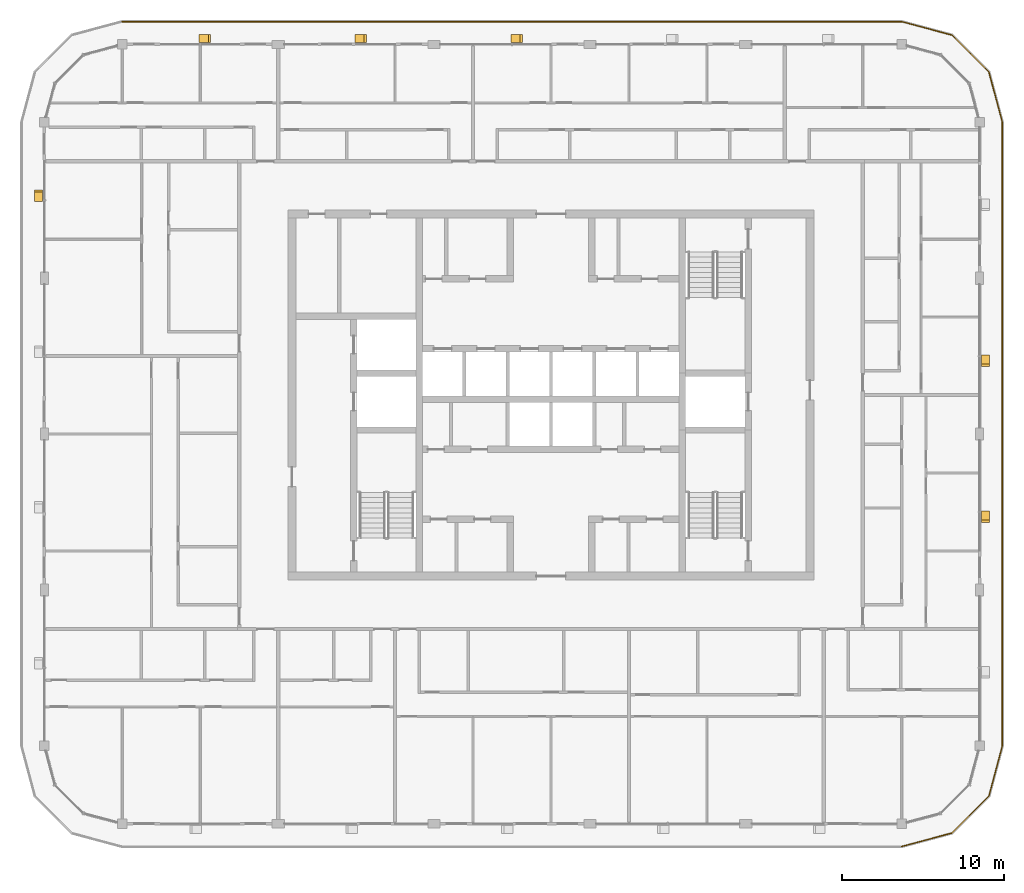
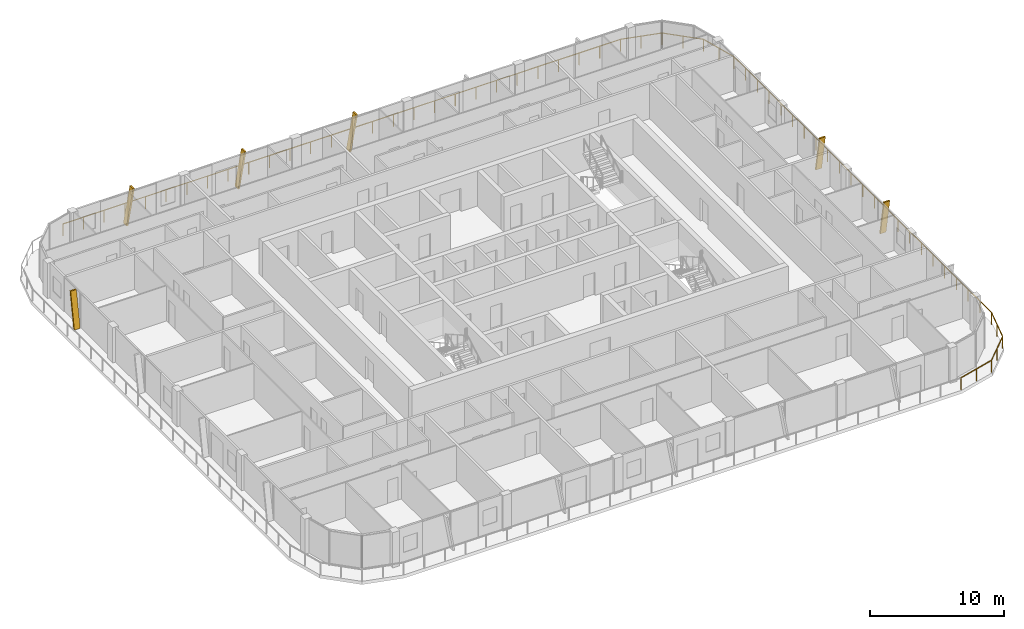
# One storey, part 21 of 22: 6 shading devices, 1 railing.
"""IFC4 building model written with IfcOpenShell, lengths in metres."""

import ifcopenshell
import ifcopenshell.guid

model = None  # the IFC model being written
_history = None  # IfcOwnerHistory: only IFC2X3 demands one
_inside = {}  # id of a spatial element -> (the spatial element, [elements in it])
_under = {}  # id of a project, library or spatial element -> (it, [spatial elements below it])
_declared = {}  # id of a project -> (the project, [libraries it declares])
_typed = {}  # id of a type object -> (the type object, [elements of that type])
_made_of = {}  # id of a material, layer set ... -> (it, [elements and type objects made of it])


def new_model(schema):
    """Start an empty IFC model of exactly this schema.

    Asked for "IFC4X3", IfcOpenShell would pick the latest addendum, in which some entities
    have other attributes; the version numbers below select the first issue.
    IFC2X3 requires an IfcOwnerHistory on every rooted entity: one is made here for all.
    """
    global model, _history
    if schema == "IFC4X3":
        model = ifcopenshell.file(schema_version=(4, 3, 0, 0))
    else:
        model = ifcopenshell.file(schema=schema)
    _inside.clear()
    _under.clear()
    _declared.clear()
    _typed.clear()
    _made_of.clear()
    _history = None
    if model.schema == "IFC2X3":
        org = make("IfcOrganization", Name="unknown")
        user = make(
            "IfcPersonAndOrganization",
            ThePerson=make("IfcPerson", FamilyName="unknown"),
            TheOrganization=org,
        )
        app = make(
            "IfcApplication",
            ApplicationDeveloper=org,
            Version="unknown",
            ApplicationFullName="unknown",
            ApplicationIdentifier="unknown",
        )
        _history = make(
            "IfcOwnerHistory",
            OwningUser=user,
            OwningApplication=app,
            ChangeAction="ADDED",
            CreationDate=0,
        )
    return model


def make(cls, **values):
    """One entity of the class cls with the attributes given. An attribute that is None is left unset."""
    return model.create_entity(
        cls, **{name: value for name, value in values.items() if value is not None}
    )


def rooted(cls, **values):
    """An entity with a GlobalId (a new one), such as an element, a storey or a relation."""
    return make(cls, GlobalId=ifcopenshell.guid.new(), OwnerHistory=_history, **values)


def si_unit(unit_type, name, prefix=None):
    """IfcSIUnit, for example si_unit("LENGTHUNIT", "METRE", prefix="MILLI")."""
    return make("IfcSIUnit", UnitType=unit_type, Prefix=prefix, Name=name)


def assignment(units):
    """IfcUnitAssignment: the units of a project."""
    return None if units is None else make("IfcUnitAssignment", Units=units)


def point(xyz):
    """IfcCartesianPoint."""
    return None if xyz is None else make("IfcCartesianPoint", Coordinates=xyz)


def direction(xyz):
    """IfcDirection."""
    return None if xyz is None else make("IfcDirection", DirectionRatios=xyz)


def frame(location, z_axis=None, x_axis=None):
    """IfcAxis2Placement3D, a coordinate frame: its origin and axes. An axis left out is left unset."""
    return make(
        "IfcAxis2Placement3D",
        Location=point(location),
        Axis=direction(z_axis),
        RefDirection=direction(x_axis),
    )


def frame_2d(location, x_axis=None):
    """IfcAxis2Placement2D, a coordinate frame in the plane: its origin and x axis."""
    return make(
        "IfcAxis2Placement2D", Location=point(location), RefDirection=direction(x_axis)
    )


def origin():
    """The frame at (0, 0, 0) with its axes left unset."""
    return frame((0.0, 0.0, 0.0))


def origin_2d():
    """The frame at (0, 0) in the plane with its x axis left unset."""
    return frame_2d((0.0, 0.0))


def place(relative_to, where):
    """IfcLocalPlacement: puts the frame where relative to a parent placement (None: the world)."""
    return make(
        "IfcLocalPlacement", PlacementRelTo=relative_to, RelativePlacement=where
    )


def context(
    kind, dimensions, precision=None, world=None, true_north=None, identifier=None
):
    """IfcGeometricRepresentationContext, for example the 3D "Model" context."""
    return make(
        "IfcGeometricRepresentationContext",
        ContextIdentifier=identifier,
        ContextType=kind,
        CoordinateSpaceDimension=dimensions,
        Precision=precision,
        WorldCoordinateSystem=world,
        TrueNorth=true_north,
    )


def subcontext(parent, identifier, kind, view, scale=None):
    """IfcGeometricRepresentationSubContext, for example "Body" below "Model"."""
    return make(
        "IfcGeometricRepresentationSubContext",
        ContextIdentifier=identifier,
        ContextType=kind,
        ParentContext=parent,
        TargetScale=scale,
        TargetView=view,
    )


def project(units=None, contexts=None):
    """IfcProject with its units and contexts."""
    return rooted(
        "IfcProject",
        Name="project",
        RepresentationContexts=contexts,
        UnitsInContext=assignment(units),
    )


def spatial(cls, under=None, at=None, **own):
    """A site, building, storey or space (cls), placed at a placement, below another one or the project."""
    s = rooted(cls, ObjectPlacement=at, **own)
    if under is not None:
        _under.setdefault(under.id(), (under, []))[1].append(s)
    return s


def polyline(points):
    """IfcPolyline through the points."""
    return make("IfcPolyline", Points=[point(p) for p in points])


def profile(cls, at=None, kind="AREA", **sizes):
    """A parametric profile (cls). Its sizes go by their IFC names, for example OverallWidth=200.0."""
    return make(cls, ProfileType=kind, Position=at, **sizes)


def circle(**sizes):
    """IfcCircleProfileDef."""
    return profile("IfcCircleProfileDef", **sizes)


def outline(outer, holes=None, kind="AREA"):
    """IfcArbitraryClosedProfileDef: a profile drawn as a closed curve; with holes, ...WithVoids."""
    if holes is None:
        return make("IfcArbitraryClosedProfileDef", ProfileType=kind, OuterCurve=outer)
    return make(
        "IfcArbitraryProfileDefWithVoids",
        ProfileType=kind,
        OuterCurve=outer,
        InnerCurves=holes,
    )


def extrude(swept, where, along, depth):
    """IfcExtrudedAreaSolid: the profile swept, set in the frame where, extruded along a direction by depth."""
    return make(
        "IfcExtrudedAreaSolid",
        SweptArea=swept,
        Position=where,
        ExtrudedDirection=direction(along),
        Depth=depth,
    )


def shape(context_of_items, identifier, shape_type, items):
    """IfcShapeRepresentation: the items that make up one representation, for example the "Body"."""
    return make(
        "IfcShapeRepresentation",
        ContextOfItems=context_of_items,
        RepresentationIdentifier=identifier,
        RepresentationType=shape_type,
        Items=items,
    )


def material(Name=None, Category=None):
    """IfcMaterial."""
    return make("IfcMaterial", Name=Name, Category=Category)


def made_of(thing, what):
    """Note that an element or type object is made of a material, layer set ...; save() writes the relation."""
    if what is not None:
        _made_of.setdefault(what.id(), (what, []))[1].append(thing)
    return thing


def type_object(cls, material=None, **own):
    """A type object (cls), such as IfcWallType, which elements share."""
    return made_of(rooted(cls, **own), material)


def element(
    cls,
    number,
    at=None,
    inside=None,
    cuts=None,
    type_object=None,
    material=None,
    context=None,
    identifier="Body",
    shape_type=None,
    held_by="IfcProductDefinitionShape",
    body=None,
    shapes=None,
    **own,
):
    """One element of the class cls, such as IfcWall. Its Tag is "e" and its number.

    at: its placement. inside: the storey or other place that contains it. cuts: it is an
    opening in that element (IfcRelVoidsElement). A single representation is given by context,
    identifier, shape_type and body (its items); several are given by shapes. held_by: the class
    of the entity that holds the representations. save() writes the other relations.
    """
    e = rooted(cls, Tag="e%d" % number, ObjectPlacement=at, **own)
    if body is not None:
        shapes = [shape(context, identifier, shape_type, body)]
    if shapes is not None:
        e.Representation = make(held_by, Representations=shapes)
    if inside is not None:
        _inside.setdefault(inside.id(), (inside, []))[1].append(e)
    if cuts is not None:
        rooted(
            "IfcRelVoidsElement", RelatingBuildingElement=cuts, RelatedOpeningElement=e
        )
    if type_object is not None:
        _typed.setdefault(type_object.id(), (type_object, []))[1].append(e)
    return made_of(e, material)


def aggregate(whole, parts):
    """IfcRelAggregates: a whole, such as a stair, and the parts it consists of."""
    return rooted("IfcRelAggregates", RelatingObject=whole, RelatedObjects=parts)


def save(model, path):
    """Write the relations noted so far, then the file.

    IfcRelAggregates (storeys below a building ...), IfcRelContainedInSpatialStructure (elements
    in a storey), IfcRelDefinesByType, IfcRelAssociatesMaterial and IfcRelDeclares: one each for
    every whole, place, type object, material and project.
    """
    for whole, parts in _under.values():
        aggregate(whole, parts)
    for where, things in _inside.values():
        rooted(
            "IfcRelContainedInSpatialStructure",
            RelatedElements=things,
            RelatingStructure=where,
        )
    for kind, things in _typed.values():
        rooted("IfcRelDefinesByType", RelatedObjects=things, RelatingType=kind)
    for what, things in _made_of.values():
        rooted("IfcRelAssociatesMaterial", RelatedObjects=things, RelatingMaterial=what)
    for by, libraries in _declared.values():
        rooted("IfcRelDeclares", RelatingContext=by, RelatedDefinitions=libraries)
    model.write(path)


model = new_model("IFC4")

# Units and contexts
model_context = context("Model", 3, precision=1e-05, world=origin(), true_north=direction((0.0, 1.0)))
body_context = subcontext(model_context, "Body", "Model", "MODEL_VIEW")
ifc_project = project(units=[si_unit("LENGTHUNIT", "METRE"), si_unit("AREAUNIT", "SQUARE_METRE"), si_unit("VOLUMEUNIT", "CUBIC_METRE"), si_unit("PLANEANGLEUNIT", "RADIAN"), si_unit("MASSUNIT", "GRAM", prefix="KILO")], contexts=[model_context])

# Site, building, storey
site_placement = place(None, origin())
site = spatial("IfcSite", under=ifc_project, at=site_placement, CompositionType="ELEMENT")
building_placement = place(site_placement, origin())
building = spatial("IfcBuilding", under=site, at=building_placement, Name="Madar Terraces", CompositionType="ELEMENT")
storey_placement = place(building_placement, frame((0.0, 0.0, 279.10009765625)))
storey = spatial("IfcBuildingStorey", under=building, at=storey_placement, Name="L73", CompositionType="ELEMENT", Elevation=279.10009765625)

# Railing
ifc_material_1 = material(Name="Glass, safety glazing, with stainless steel posts", Category="steel")
railing_type = type_object("IfcRailingType", Name="Balcony glass guard 1100", PredefinedType="GUARDRAIL", material=ifc_material_1)
railing_placement = place(storey_placement, frame((52.800048828125, -1.39990234375, 0.0)))
element("IfcRailing", 1, at=railing_placement, inside=storey, type_object=railing_type, Name="Balcony guard", PredefinedType="GUARDRAIL", context=body_context, shape_type="SweptSolid", body=[
    extrude(circle(Radius=0.02392578125, at=origin_2d()), frame((0.0, 0.0, 1.076171875), z_axis=(0.965928696102, 0.258808334578, 0.0), x_axis=(-0.258808334578, 0.965928696102, 0.0)), (0.0, 0.0, 1.0), 3.209228515625),
    extrude(circle(Radius=0.02392578125, at=origin_2d()), frame((3.099853515625, 0.83056640625, 1.076171875), z_axis=(0.707144815061, 0.707068745266, 0.0), x_axis=(-0.707068745266, 0.707144815061, 0.0)), (0.0, 0.0, 1.0), 3.20947265625),
    extrude(circle(Radius=0.02392578125, at=origin_2d()), frame((5.369384765625, 3.099853515625, 1.076171875), z_axis=(0.258789317819, 0.9659337912, 0.0), x_axis=(-0.9659337912, 0.258789317819, 0.0)), (0.0, 0.0, 1.0), 3.20947265625),
    extrude(circle(Radius=0.02392578125, at=origin_2d()), frame((6.199951171875, 6.199951171875, 1.076171875), z_axis=(0.0, 1.0, 0.0), x_axis=(-1.0, 0.0, 0.0)), (0.0, 0.0, 1.0), 38.39990234375),
    extrude(circle(Radius=0.02392578125, at=origin_2d()), frame((6.199951171875, 44.599853515625, 1.076171875), z_axis=(-0.258789317819, 0.9659337912, 0.0), x_axis=(-0.9659337912, -0.258789317819, 0.0)), (0.0, 0.0, 1.0), 3.20947265625),
    extrude(circle(Radius=0.02392578125, at=origin_2d()), frame((5.369384765625, 47.699951171875, 1.076171875), z_axis=(-0.707144815061, 0.707068745266, 0.0), x_axis=(-0.707068745266, -0.707144815061, 0.0)), (0.0, 0.0, 1.0), 3.20947265625),
    extrude(circle(Radius=0.02392578125, at=origin_2d()), frame((3.099853515625, 49.96923828125, 1.076171875), z_axis=(-0.965928696102, 0.258808334578, 0.0), x_axis=(-0.258808334578, -0.965928696102, 0.0)), (0.0, 0.0, 1.0), 3.209228515625),
    extrude(circle(Radius=0.02392578125, at=origin_2d()), frame((0.0, 50.7998046875, 1.076171875), z_axis=(-1.0, 0.0, 0.0), x_axis=(0.0, -1.0, 0.0)), (0.0, 0.0, 1.0), 48.0),
    extrude(circle(Radius=0.02099609375, at=origin_2d()), origin(), (0.0, 0.0, 1.0), 1.052001953125),
    extrude(circle(Radius=0.02099609375, at=origin_2d()), frame((1.5498046875, 0.415283203125, 0.0)), (0.0, 0.0, 1.0), 1.052001953125),
    extrude(circle(Radius=0.02099609375, at=origin_2d()), frame((3.099853515625, 0.83056640625, 0.0)), (0.0, 0.0, 1.0), 1.052001953125),
    extrude(circle(Radius=0.02099609375, at=origin_2d()), frame((4.234619140625, 1.96533203125, 0.0)), (0.0, 0.0, 1.0), 1.052001953125),
    extrude(circle(Radius=0.02099609375, at=origin_2d()), frame((5.369384765625, 3.099853515625, 0.0)), (0.0, 0.0, 1.0), 1.052001953125),
    extrude(circle(Radius=0.02099609375, at=origin_2d()), frame((5.78466796875, 4.64990234375, 0.0)), (0.0, 0.0, 1.0), 1.052001953125),
    extrude(circle(Radius=0.02099609375, at=origin_2d()), frame((6.199951171875, 6.199951171875, 0.0)), (0.0, 0.0, 1.0), 1.052001953125),
    extrude(circle(Radius=0.02099609375, at=origin_2d()), frame((6.199951171875, 7.9453125, 0.0)), (0.0, 0.0, 1.0), 1.052001953125),
    extrude(circle(Radius=0.02099609375, at=origin_2d()), frame((6.199951171875, 9.69091796875, 0.0)), (0.0, 0.0, 1.0), 1.052001953125),
    extrude(circle(Radius=0.02099609375, at=origin_2d()), frame((6.199951171875, 11.436279296875, 0.0)), (0.0, 0.0, 1.0), 1.052001953125),
    extrude(circle(Radius=0.02099609375, at=origin_2d()), frame((6.199951171875, 13.181640625, 0.0)), (0.0, 0.0, 1.0), 1.052001953125),
    extrude(circle(Radius=0.02099609375, at=origin_2d()), frame((6.199951171875, 14.92724609375, 0.0)), (0.0, 0.0, 1.0), 1.052001953125),
    extrude(circle(Radius=0.02099609375, at=origin_2d()), frame((6.199951171875, 16.672607421875, 0.0)), (0.0, 0.0, 1.0), 1.052001953125),
    extrude(circle(Radius=0.02099609375, at=origin_2d()), frame((6.199951171875, 18.418212890625, 0.0)), (0.0, 0.0, 1.0), 1.052001953125),
    extrude(circle(Radius=0.02099609375, at=origin_2d()), frame((6.199951171875, 20.16357421875, 0.0)), (0.0, 0.0, 1.0), 1.052001953125),
    extrude(circle(Radius=0.02099609375, at=origin_2d()), frame((6.199951171875, 21.908935546875, 0.0)), (0.0, 0.0, 1.0), 1.052001953125),
    extrude(circle(Radius=0.02099609375, at=origin_2d()), frame((6.199951171875, 23.654541015625, 0.0)), (0.0, 0.0, 1.0), 1.052001953125),
    extrude(circle(Radius=0.02099609375, at=origin_2d()), frame((6.199951171875, 25.39990234375, 0.0)), (0.0, 0.0, 1.0), 1.052001953125),
    extrude(circle(Radius=0.02099609375, at=origin_2d()), frame((6.199951171875, 27.145263671875, 0.0)), (0.0, 0.0, 1.0), 1.052001953125),
    extrude(circle(Radius=0.02099609375, at=origin_2d()), frame((6.199951171875, 28.890869140625, 0.0)), (0.0, 0.0, 1.0), 1.052001953125),
    extrude(circle(Radius=0.02099609375, at=origin_2d()), frame((6.199951171875, 30.63623046875, 0.0)), (0.0, 0.0, 1.0), 1.052001953125),
    extrude(circle(Radius=0.02099609375, at=origin_2d()), frame((6.199951171875, 32.381591796875, 0.0)), (0.0, 0.0, 1.0), 1.052001953125),
    extrude(circle(Radius=0.02099609375, at=origin_2d()), frame((6.199951171875, 34.127197265625, 0.0)), (0.0, 0.0, 1.0), 1.052001953125),
    extrude(circle(Radius=0.02099609375, at=origin_2d()), frame((6.199951171875, 35.87255859375, 0.0)), (0.0, 0.0, 1.0), 1.052001953125),
    extrude(circle(Radius=0.02099609375, at=origin_2d()), frame((6.199951171875, 37.6181640625, 0.0)), (0.0, 0.0, 1.0), 1.052001953125),
    extrude(circle(Radius=0.02099609375, at=origin_2d()), frame((6.199951171875, 39.363525390625, 0.0)), (0.0, 0.0, 1.0), 1.052001953125),
    extrude(circle(Radius=0.02099609375, at=origin_2d()), frame((6.199951171875, 41.10888671875, 0.0)), (0.0, 0.0, 1.0), 1.052001953125),
    extrude(circle(Radius=0.02099609375, at=origin_2d()), frame((6.199951171875, 42.8544921875, 0.0)), (0.0, 0.0, 1.0), 1.052001953125),
    extrude(circle(Radius=0.02099609375, at=origin_2d()), frame((6.199951171875, 44.599853515625, 0.0)), (0.0, 0.0, 1.0), 1.052001953125),
    extrude(circle(Radius=0.02099609375, at=origin_2d()), frame((5.78466796875, 46.14990234375, 0.0)), (0.0, 0.0, 1.0), 1.052001953125),
    extrude(circle(Radius=0.02099609375, at=origin_2d()), frame((5.369384765625, 47.699951171875, 0.0)), (0.0, 0.0, 1.0), 1.052001953125),
    extrude(circle(Radius=0.02099609375, at=origin_2d()), frame((4.234619140625, 48.83447265625, 0.0)), (0.0, 0.0, 1.0), 1.052001953125),
    extrude(circle(Radius=0.02099609375, at=origin_2d()), frame((3.099853515625, 49.96923828125, 0.0)), (0.0, 0.0, 1.0), 1.052001953125),
    extrude(circle(Radius=0.02099609375, at=origin_2d()), frame((1.5498046875, 50.384521484375, 0.0)), (0.0, 0.0, 1.0), 1.052001953125),
    extrude(circle(Radius=0.02099609375, at=origin_2d()), frame((0.0, 50.7998046875, 0.0)), (0.0, 0.0, 1.0), 1.052001953125),
    extrude(circle(Radius=0.02099609375, at=origin_2d()), frame((-1.77783203125, 50.7998046875, 0.0)), (0.0, 0.0, 1.0), 1.052001953125),
    extrude(circle(Radius=0.02099609375, at=origin_2d()), frame((-3.5556640625, 50.7998046875, 0.0)), (0.0, 0.0, 1.0), 1.052001953125),
    extrude(circle(Radius=0.02099609375, at=origin_2d()), frame((-5.333251953125, 50.7998046875, 0.0)), (0.0, 0.0, 1.0), 1.052001953125),
    extrude(circle(Radius=0.02099609375, at=origin_2d()), frame((-7.111083984375, 50.7998046875, 0.0)), (0.0, 0.0, 1.0), 1.052001953125),
    extrude(circle(Radius=0.02099609375, at=origin_2d()), frame((-8.888916015625, 50.7998046875, 0.0)), (0.0, 0.0, 1.0), 1.052001953125),
    extrude(circle(Radius=0.02099609375, at=origin_2d()), frame((-10.666748046875, 50.7998046875, 0.0)), (0.0, 0.0, 1.0), 1.052001953125),
    extrude(circle(Radius=0.02099609375, at=origin_2d()), frame((-12.4443359375, 50.7998046875, 0.0)), (0.0, 0.0, 1.0), 1.052001953125),
    extrude(circle(Radius=0.02099609375, at=origin_2d()), frame((-14.22216796875, 50.7998046875, 0.0)), (0.0, 0.0, 1.0), 1.052001953125),
    extrude(circle(Radius=0.02099609375, at=origin_2d()), frame((-16.0, 50.7998046875, 0.0)), (0.0, 0.0, 1.0), 1.052001953125),
    extrude(circle(Radius=0.02099609375, at=origin_2d()), frame((-17.77783203125, 50.7998046875, 0.0)), (0.0, 0.0, 1.0), 1.052001953125),
    extrude(circle(Radius=0.02099609375, at=origin_2d()), frame((-19.5556640625, 50.7998046875, 0.0)), (0.0, 0.0, 1.0), 1.052001953125),
    extrude(circle(Radius=0.02099609375, at=origin_2d()), frame((-21.333251953125, 50.7998046875, 0.0)), (0.0, 0.0, 1.0), 1.052001953125),
    extrude(circle(Radius=0.02099609375, at=origin_2d()), frame((-23.111083984375, 50.7998046875, 0.0)), (0.0, 0.0, 1.0), 1.052001953125),
    extrude(circle(Radius=0.02099609375, at=origin_2d()), frame((-24.888916015625, 50.7998046875, 0.0)), (0.0, 0.0, 1.0), 1.052001953125),
    extrude(circle(Radius=0.02099609375, at=origin_2d()), frame((-26.666748046875, 50.7998046875, 0.0)), (0.0, 0.0, 1.0), 1.052001953125),
    extrude(circle(Radius=0.02099609375, at=origin_2d()), frame((-28.4443359375, 50.7998046875, 0.0)), (0.0, 0.0, 1.0), 1.052001953125),
    extrude(circle(Radius=0.02099609375, at=origin_2d()), frame((-30.22216796875, 50.7998046875, 0.0)), (0.0, 0.0, 1.0), 1.052001953125),
    extrude(circle(Radius=0.02099609375, at=origin_2d()), frame((-32.0, 50.7998046875, 0.0)), (0.0, 0.0, 1.0), 1.052001953125),
    extrude(circle(Radius=0.02099609375, at=origin_2d()), frame((-33.77783203125, 50.7998046875, 0.0)), (0.0, 0.0, 1.0), 1.052001953125),
    extrude(circle(Radius=0.02099609375, at=origin_2d()), frame((-35.5556640625, 50.7998046875, 0.0)), (0.0, 0.0, 1.0), 1.052001953125),
    extrude(circle(Radius=0.02099609375, at=origin_2d()), frame((-37.333251953125, 50.7998046875, 0.0)), (0.0, 0.0, 1.0), 1.052001953125),
    extrude(circle(Radius=0.02099609375, at=origin_2d()), frame((-39.111083984375, 50.7998046875, 0.0)), (0.0, 0.0, 1.0), 1.052001953125),
    extrude(circle(Radius=0.02099609375, at=origin_2d()), frame((-40.888916015625, 50.7998046875, 0.0)), (0.0, 0.0, 1.0), 1.052001953125),
    extrude(circle(Radius=0.02099609375, at=origin_2d()), frame((-42.666748046875, 50.7998046875, 0.0)), (0.0, 0.0, 1.0), 1.052001953125),
    extrude(circle(Radius=0.02099609375, at=origin_2d()), frame((-44.4443359375, 50.7998046875, 0.0)), (0.0, 0.0, 1.0), 1.052001953125),
    extrude(circle(Radius=0.02099609375, at=origin_2d()), frame((-46.22216796875, 50.7998046875, 0.0)), (0.0, 0.0, 1.0), 1.052001953125),
    extrude(circle(Radius=0.02099609375, at=origin_2d()), frame((-48.0, 50.7998046875, 0.0)), (0.0, 0.0, 1.0), 1.052001953125),
])

# Shading devices
ifc_material_2 = material(Name="Aluminium, black anodised", Category="aluminium")
shading_device_type = type_object("IfcShadingDeviceType", Name="Facade fin blade 140 x 500", PredefinedType="USERDEFINED", material=ifc_material_2)
for number, where, z_axis, x_axis, name in (
    (2, (57.949951171875, 19.1298828125, 0.0), (0.0, 0.0, 1.0), (0.0, 1.0, 0.0), "FIN L73 E2"),
    (3, (57.949951171875, 28.72998046875, 0.0), (0.0, 0.0, 1.0), (0.0, 1.0, 0.0), "FIN L73 E3"),
    (4, (28.8701171875, 48.35009765625, 0.0), (0.0, 0.0, 1.0), (-1.0, 0.0, 0.0), "FIN L73 N3"),
    (5, (19.27001953125, 48.35009765625, 0.0), (0.0, 0.0, 1.0), (-1.0, 0.0, 0.0), "FIN L73 N4"),
):
    element("IfcShadingDevice", number, at=place(storey_placement, frame(where, z_axis=z_axis, x_axis=x_axis)), inside=storey, type_object=shading_device_type, Name=name, ObjectType="FIN", PredefinedType="USERDEFINED", context=body_context, shape_type="SweptSolid", body=[
        extrude(outline(polyline([(0.0, 0.0), (0.14013671875, 0.0), (-0.42431640625, 3.199951171875), (-0.564208984375, 3.199951171875), (0.0, 0.0)])), frame((0.0, 0.25, 0.0), z_axis=(0.0, -1.0, 0.0), x_axis=(1.0, 0.0, 0.0)), (0.0, 0.0, 1.0), 0.5),
    ])
for number, where, z_axis, x_axis, name in (
    (6, (9.669921875, 48.35009765625, 0.0), (0.0, 0.0, 1.0), (-1.0, 0.0, 0.0), "FIN L73 N5"),
    (7, (-0.35009765625, 38.469970703125, 0.0), (0.0, 0.0, 1.0), (0.0, -1.0, 0.0), "FIN L73 W1"),
):
    element("IfcShadingDevice", number, at=place(storey_placement, frame(where, z_axis=z_axis, x_axis=x_axis)), inside=storey, type_object=shading_device_type, Name=name, ObjectType="FIN", PredefinedType="USERDEFINED", context=body_context, shape_type="SweptSolid", body=[
        extrude(outline(polyline([(0.0, 0.0), (0.139892578125, 0.0), (-0.42431640625, 3.199951171875), (-0.564208984375, 3.199951171875), (0.0, 0.0)])), frame((0.0, 0.25, 0.0), z_axis=(0.0, -1.0, 0.0), x_axis=(1.0, 0.0, 0.0)), (0.0, 0.0, 1.0), 0.5),
    ])

save(model, "model.ifc")
